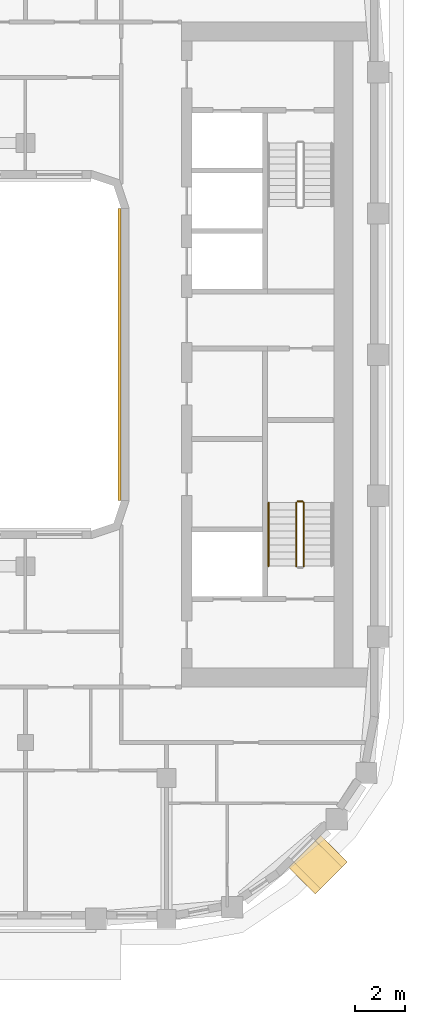
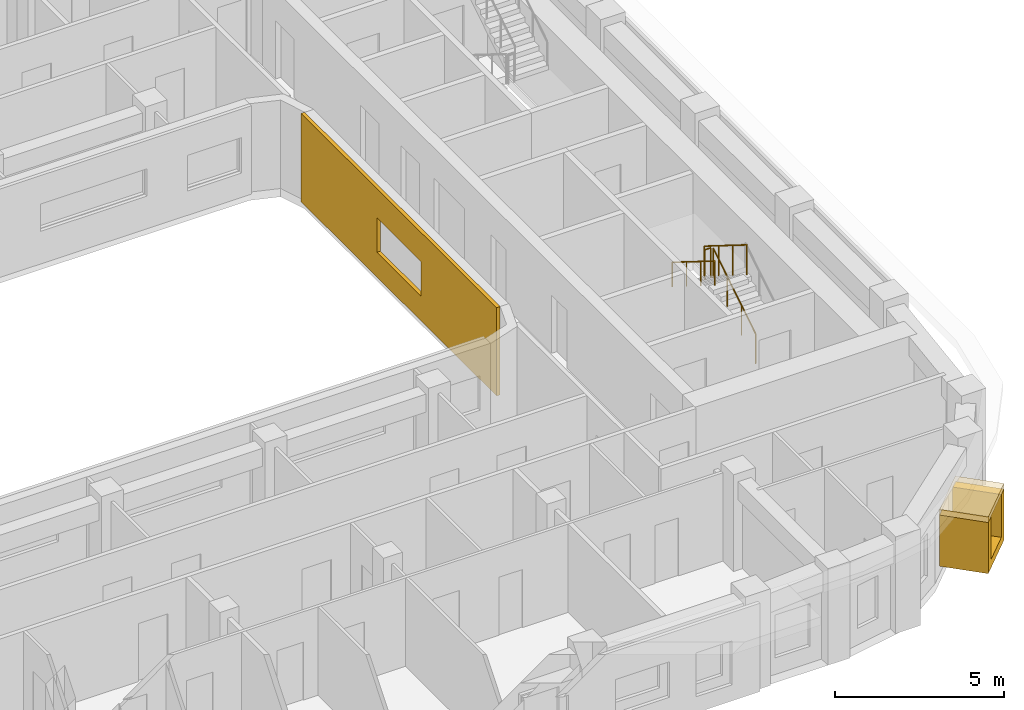
# One storey, part 16 of 21: 4 railings, 3 coverings.
"""IFC4 building model written with IfcOpenShell, lengths in metres."""

from ifc_helpers import new_model, si_unit, direction, frame, origin, origin_2d, place, context, subcontext, project, spatial, polyline, rectangle, circle, outline, extrude, material, layer, layer_set, type_object, element, save


model = new_model("IFC4")

# Units and contexts
model_context = context("Model", 3, precision=1e-05, world=origin(), true_north=direction((0.0, 1.0)))
body_context = subcontext(model_context, "Body", "Model", "MODEL_VIEW")
ifc_project = project(units=[si_unit("LENGTHUNIT", "METRE"), si_unit("AREAUNIT", "SQUARE_METRE"), si_unit("VOLUMEUNIT", "CUBIC_METRE"), si_unit("PLANEANGLEUNIT", "RADIAN"), si_unit("MASSUNIT", "GRAM", prefix="KILO")], contexts=[model_context])

# Site, building, storey
site_placement = place(None, origin())
site = spatial("IfcSite", under=ifc_project, at=site_placement, CompositionType="ELEMENT")
building_placement = place(site_placement, origin())
building = spatial("IfcBuilding", under=site, at=building_placement, Name="Kiln Ring Residences", CompositionType="ELEMENT")
storey_placement = place(building_placement, frame((0.0, 0.0, 220.39990234375)))
storey = spatial("IfcBuildingStorey", under=building, at=storey_placement, Name="L57", CompositionType="ELEMENT", Elevation=220.39990234375)

# Railings
ifc_material_1 = material(Name="Stainless steel", Category="steel")
railing_type_1 = type_object("IfcRailingType", Name="CORE-STAIR-GUARD", PredefinedType="GUARDRAIL", material=ifc_material_1)
railing_1_placement = place(storey_placement, frame((22.25, -8.39990234375, 0.175048828125)))
element("IfcRailing", 1, at=railing_1_placement, inside=storey, type_object=railing_type_1, Name="L57 E-STS stair guard 1", PredefinedType="GUARDRAIL", context=body_context, shape_type="SweptSolid", body=[
    extrude(circle(Radius=0.02392578125, at=origin_2d()), frame((0.0, 0.0, 1.076171875), z_axis=(0.0, 0.848007534815, 0.529984170421), x_axis=(-1.0, 0.0, 0.0)), (0.0, 0.0, 1.0), 2.9716796875),
    extrude(circle(Radius=0.02099609375, at=origin_2d()), origin(), (0.0, 0.0, 1.0), 1.052001953125),
    extrude(circle(Radius=0.02099609375, at=origin_2d()), frame((0.0, 0.840087890625, 0.52490234375)), (0.0, 0.0, 1.0), 1.052001953125),
    extrude(circle(Radius=0.02099609375, at=origin_2d()), frame((0.0, 1.679931640625, 1.050048828125)), (0.0, 0.0, 1.0), 1.052001953125),
    extrude(circle(Radius=0.02099609375, at=origin_2d()), frame((0.0, 2.52001953125, 1.574951171875)), (0.0, 0.0, 1.0), 1.052001953125),
])
railing_2_placement = place(storey_placement, frame((22.199951171875, -5.830078125, 1.75)))
element("IfcRailing", 2, at=railing_2_placement, inside=storey, type_object=railing_type_1, Name="L57 E-STS stair guard 2", PredefinedType="GUARDRAIL", context=body_context, shape_type="SweptSolid", body=[
    extrude(circle(Radius=0.02392578125, at=origin_2d()), frame((0.0, 0.0, 1.076171875), z_axis=(-1.0, 0.0, 0.0), x_axis=(0.0, -1.0, 0.0)), (0.0, 0.0, 1.0), 0.199951171875),
    extrude(circle(Radius=0.02099609375, at=origin_2d()), origin(), (0.0, 0.0, 1.0), 1.052001953125),
    extrude(circle(Radius=0.02099609375, at=origin_2d()), frame((-0.199951171875, 0.0, 0.0)), (0.0, 0.0, 1.0), 1.052001953125),
])
railing_3_placement = place(storey_placement, frame((21.949951171875, -5.8798828125, 1.925048828125)))
element("IfcRailing", 3, at=railing_3_placement, inside=storey, type_object=railing_type_1, Name="L57 E-STS stair guard 3", PredefinedType="GUARDRAIL", context=body_context, shape_type="SweptSolid", body=[
    extrude(circle(Radius=0.02392578125, at=origin_2d()), frame((0.0, 0.0, 1.076171875), z_axis=(0.0, -0.848007534815, 0.529984170421), x_axis=(1.0, 0.0, 0.0)), (0.0, 0.0, 1.0), 2.9716796875),
    extrude(circle(Radius=0.02099609375, at=origin_2d()), origin(), (0.0, 0.0, 1.0), 1.052001953125),
    extrude(circle(Radius=0.02099609375, at=origin_2d()), frame((0.0, -0.840087890625, 0.52490234375)), (0.0, 0.0, 1.0), 1.052001953125),
    extrude(circle(Radius=0.02099609375, at=origin_2d()), frame((0.0, -1.679931640625, 1.050048828125)), (0.0, 0.0, 1.0), 1.052001953125),
    extrude(circle(Radius=0.02099609375, at=origin_2d()), frame((0.0, -2.52001953125, 1.574951171875)), (0.0, 0.0, 1.0), 1.052001953125),
])
ifc_material_2 = material(Name="Stainless steel", Category="steel")
railing_type_2 = type_object("IfcRailingType", Name="CORE-STAIR-HANDRAIL", PredefinedType="HANDRAIL", material=ifc_material_2)
railing_4_placement = place(storey_placement, frame((20.85009765625, -5.8798828125, 1.925048828125)))
element("IfcRailing", 4, at=railing_4_placement, inside=storey, type_object=railing_type_2, Name="L57 E-STS stair handrail 2", PredefinedType="HANDRAIL", context=body_context, shape_type="SweptSolid", body=[
    extrude(circle(Radius=0.02392578125, at=origin_2d()), frame((0.0, 0.0, 0.8759765625), z_axis=(0.0, -0.848007534815, 0.529984170421), x_axis=(1.0, 0.0, 0.0)), (0.0, 0.0, 1.0), 2.9716796875),
    extrude(circle(Radius=0.02099609375, at=origin_2d()), origin(), (0.0, 0.0, 1.0), 0.851806640625),
    extrude(circle(Radius=0.02099609375, at=origin_2d()), frame((0.0, -0.840087890625, 0.52490234375)), (0.0, 0.0, 1.0), 0.851806640625),
    extrude(circle(Radius=0.02099609375, at=origin_2d()), frame((0.0, -1.679931640625, 1.050048828125)), (0.0, 0.0, 1.0), 0.851806640625),
    extrude(circle(Radius=0.02099609375, at=origin_2d()), frame((0.0, -2.52001953125, 1.574951171875)), (0.0, 0.0, 1.0), 0.851806640625),
])

# Coverings
ifc_material_3 = material(Name="Brick masonry, dark clay brick", Category="masonry")
ifc_layer_1 = layer(ifc_material_3, 0.300048828125)
ifc_layer_set_1 = layer_set([ifc_layer_1], Name="FRAME CHEEKS AND SILL 1500")
covering_type_1 = type_object("IfcCoveringType", Name="FRAME CHEEKS AND SILL 1500", PredefinedType="CLADDING", material=ifc_layer_set_1)
covering_1_placement = place(storey_placement, frame((22.172119140625, -20.888671875, 0.300048828125), z_axis=(0.0, 0.0, 1.0), x_axis=(0.707038962956, 0.707174592913, 0.0)))
element("IfcCovering", 5, at=covering_1_placement, inside=storey, type_object=covering_type_1, Name="FRAME L57", PredefinedType="CLADDING", context=body_context, shape_type="SweptSolid", body=[
    extrude(outline(polyline([(0.0, 0.0), (1.800048828125, 0.0), (1.800048828125, 1.85009765625), (1.5009765625, 1.85009765625), (1.5, 0.300048828125), (0.300048828125, 0.300048828125), (0.299072265625, 1.85009765625), (0.0, 1.85009765625), (0.0, 0.0)])), frame((0.0, 0.75, 0.0), z_axis=(0.0, -1.0, 0.0), x_axis=(1.0, 0.0, 0.0)), (0.0, 0.0, 1.0), 1.5),
])
ifc_material_4 = material(Name="Brick masonry, dark clay brick", Category="masonry")
ifc_layer_2 = layer(ifc_material_4, 0.199951171875)
ifc_layer_set_2 = layer_set([ifc_layer_2], Name="FRAME HEAD 1500")
covering_type_2 = type_object("IfcCoveringType", Name="FRAME HEAD 1500", PredefinedType="CLADDING", material=ifc_layer_set_2)
covering_2_placement = place(storey_placement, frame((22.80859375, -20.252197265625, 2.14990234375), z_axis=(0.0, 0.0, 1.0), x_axis=(0.707106781187, 0.707106781187, 0.0)))
element("IfcCovering", 6, at=covering_2_placement, inside=storey, type_object=covering_type_2, Name="FRAME HEAD L57", PredefinedType="CLADDING", context=body_context, shape_type="SweptSolid", body=[
    extrude(rectangle(XDim=1.800048828125, YDim=1.5, at=origin_2d()), origin(), (0.0, 0.0, 1.0), 0.199951171875),
])
ifc_material_5 = material(Name="Brick masonry, dark clay brick", Category="masonry")
ifc_layer_3 = layer(ifc_material_5, 0.1201171875)
ifc_layer_set_3 = layer_set([ifc_layer_3], Name="RAINSCREEN PANEL 120")
covering_type_3 = type_object("IfcCoveringType", Name="RAINSCREEN PANEL 120", PredefinedType="CLADDING", material=ifc_layer_set_3)
covering_3_placement = place(storey_placement, frame((14.93994140625, 5.800048828125, 0.0), z_axis=(0.0, 0.0, 1.0), x_axis=(0.0, -1.0, 0.0)))
element("IfcCovering", 7, at=covering_3_placement, inside=storey, type_object=covering_type_3, Name="RAINSCREEN L57", PredefinedType="CLADDING", context=body_context, shape_type="SweptSolid", body=[
    extrude(outline(polyline([(0.0, 0.0), (11.60009765625, 0.0), (11.60009765625, 3.2001953125), (0.0, 3.2001953125), (0.0, 0.0)]), holes=[polyline([(4.5, 2.150146484375), (4.5, 0.900146484375), (7.10009765625, 0.900146484375), (7.10009765625, 2.150146484375), (4.5, 2.150146484375)])]), frame((0.0, 0.06005859375, 0.0), z_axis=(0.0, -1.0, 0.0), x_axis=(1.0, 0.0, 0.0)), (0.0, 0.0, 1.0), 0.1201171875),
])

save(model, "model.ifc")
